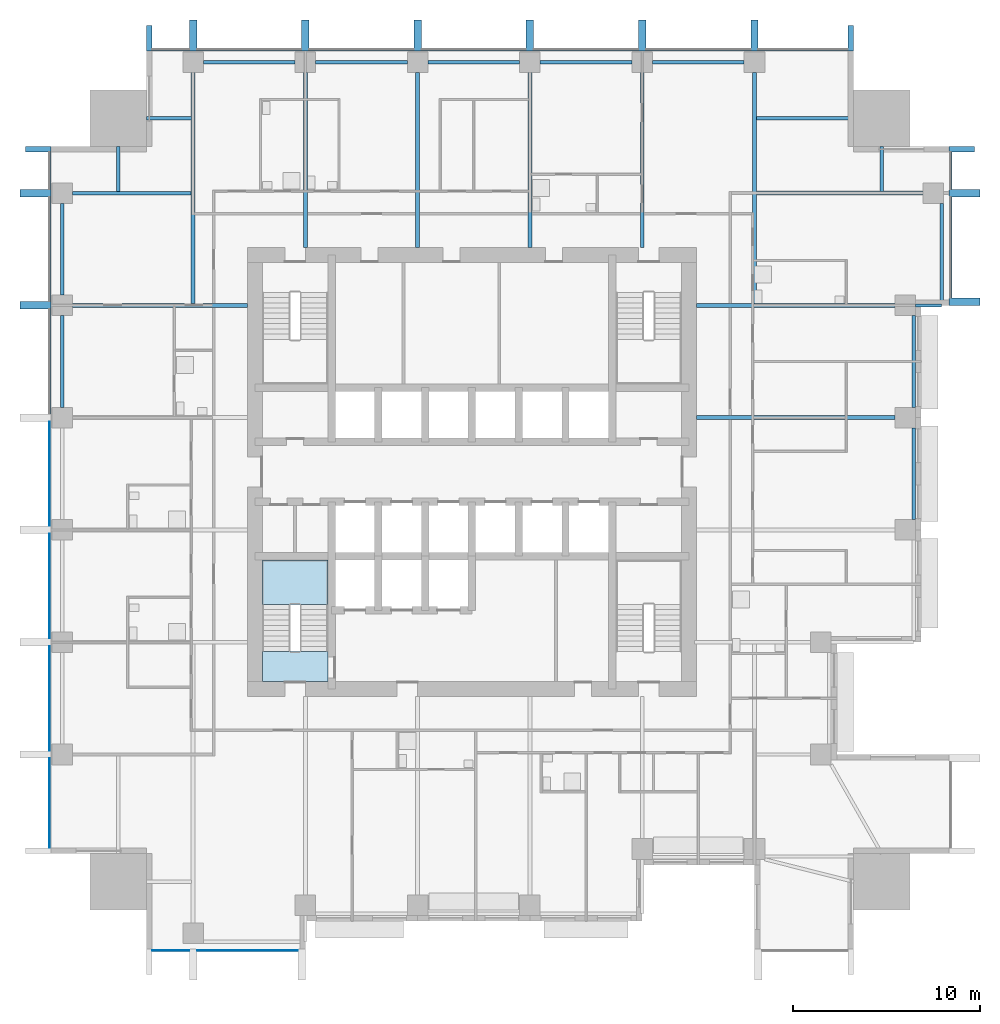
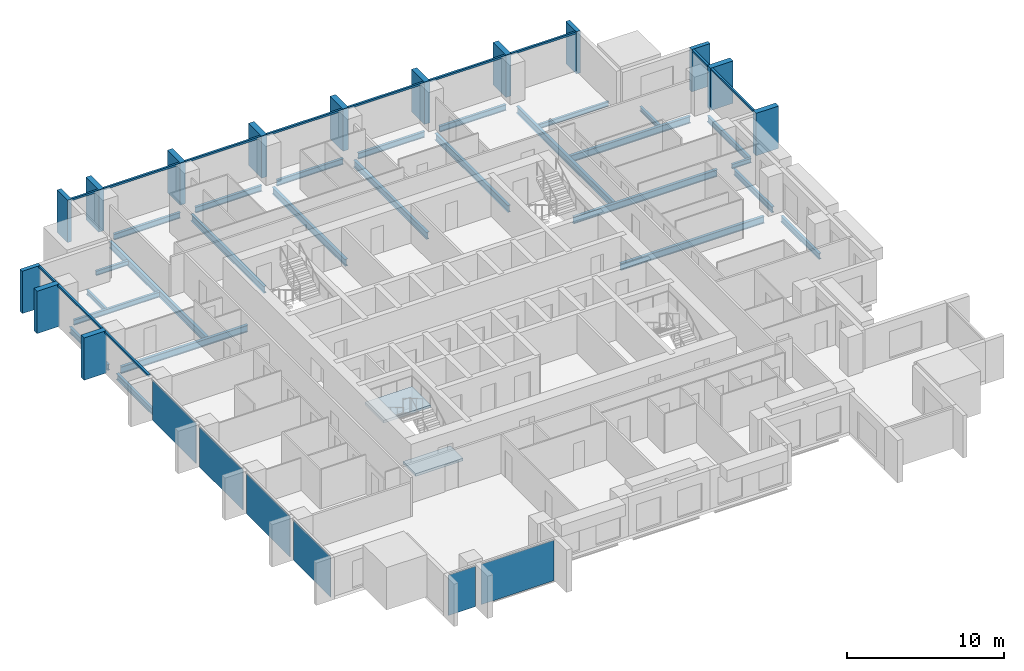
# One storey, part 2 of 10: 26 beams, 26 members, 6 plates, 2 slabs, 5 elements without a shape of their own.
"""IFC4 building model written with IfcOpenShell, lengths in metres."""

from ifc_helpers import new_model, si_unit, direction, frame, origin, origin_2d, place, context, subcontext, project, spatial, polyline, rectangle, i_section, outline, extrude, material, layer, layer_set, material_profile, profile_set, type_object, element, aggregate, save


model = new_model("IFC4")

# Units and contexts
model_context = context("Model", 3, precision=1e-05, world=origin(), true_north=direction((0.0, 1.0)))
body_context = subcontext(model_context, "Body", "Model", "MODEL_VIEW")
ifc_project = project(units=[si_unit("LENGTHUNIT", "METRE"), si_unit("AREAUNIT", "SQUARE_METRE"), si_unit("VOLUMEUNIT", "CUBIC_METRE"), si_unit("PLANEANGLEUNIT", "RADIAN"), si_unit("MASSUNIT", "GRAM", prefix="KILO")], contexts=[model_context])

# Site, building, storey
site_placement = place(None, origin())
site = spatial("IfcSite", under=ifc_project, at=site_placement, CompositionType="ELEMENT")
building_placement = place(site_placement, origin())
building = spatial("IfcBuilding", under=site, at=building_placement, Name="Amberfall Residences", CompositionType="ELEMENT")
storey_placement = place(building_placement, frame((0.0, 0.0, 85.300048828125)))
storey = spatial("IfcBuildingStorey", under=building, at=storey_placement, Name="L22", CompositionType="ELEMENT", Elevation=85.300048828125)

# Curtain wall, members
ifc_material_1 = material(Name="Bronze anodised aluminium and glass", Category="aluminium")
curtain_wall_type = type_object("IfcCurtainWallType", Name="Curtain wall CW1 tower unit", PredefinedType="USERDEFINED", material=ifc_material_1)
curtain_wall_1_placement = place(storey_placement, origin())
curtain_wall_1 = element("IfcCurtainWall", 1, at=curtain_wall_1_placement, inside=storey, type_object=curtain_wall_type, Name="Curtain wall L22 E E9", ObjectType="UNITISED CURTAIN WALL", PredefinedType="USERDEFINED")
ifc_material_2 = material(Name="Bronze anodised aluminium", Category="aluminium")
ifc_material_profile_1 = material_profile(ifc_material_2, rectangle(XDim=0.14990234375, YDim=0.14990234375, at=origin_2d()), Name="CW1 transom 150 x 150 bronze")
ifc_profile_set_1 = profile_set([ifc_material_profile_1], Name="Bronze anodised aluminium")
member_type_1 = type_object("IfcMemberType", Name="CW1 transom 150 x 150 bronze", PredefinedType="USERDEFINED", material=ifc_profile_set_1)
member_1_placement = place(storey_placement, frame((100.074951171875, 54.800048828125, 2.974853515625), z_axis=(0.0, 1.0, 0.0), x_axis=(-1.0, 0.0, 0.0)))
member_1 = element("IfcMember", 2, at=member_1_placement, type_object=member_type_1, Name="CW1 transom 1.1", ObjectType="TRANSOM", PredefinedType="USERDEFINED", context=body_context, shape_type="SweptSolid", body=[
    extrude(rectangle(XDim=0.14990234375, YDim=0.14990234375, at=origin_2d()), origin(), (0.0, 0.0, 1.0), 5.39990234375),
])
member_2_placement = place(storey_placement, frame((100.074951171875, 60.60009765625, 2.974853515625), z_axis=(0.0, 1.0, 0.0), x_axis=(-1.0, 0.0, 0.0)))
member_2 = element("IfcMember", 3, at=member_2_placement, type_object=member_type_1, Name="CW1 transom 2.1", ObjectType="TRANSOM", PredefinedType="USERDEFINED", context=body_context, shape_type="SweptSolid", body=[
    extrude(rectangle(XDim=0.14990234375, YDim=0.14990234375, at=origin_2d()), origin(), (0.0, 0.0, 1.0), 2.0),
])

curtain_wall_2_placement = place(storey_placement, origin())
curtain_wall_2 = element("IfcCurtainWall", 4, at=curtain_wall_2_placement, inside=storey, type_object=curtain_wall_type, Name="Curtain wall L22 N N1", ObjectType="UNITISED CURTAIN WALL", PredefinedType="USERDEFINED")
member_3_placement = place(storey_placement, frame((94.60009765625, 68.074951171875, 2.974853515625), z_axis=(-1.0, 0.0, 0.0), x_axis=(0.0, -1.0, 0.0)))
member_3 = element("IfcMember", 5, at=member_3_placement, type_object=member_type_1, Name="CW1 transom 1.1", ObjectType="TRANSOM", PredefinedType="USERDEFINED", context=body_context, shape_type="SweptSolid", body=[
    extrude(rectangle(XDim=0.14990234375, YDim=0.14990234375, at=origin_2d()), origin(), (0.0, 0.0, 1.0), 4.800048828125),
])
member_4_placement = place(storey_placement, frame((89.39990234375, 68.074951171875, 2.974853515625), z_axis=(-1.0, 0.0, 0.0), x_axis=(0.0, -1.0, 0.0)))
member_4 = element("IfcMember", 6, at=member_4_placement, type_object=member_type_1, Name="CW1 transom 2.1", ObjectType="TRANSOM", PredefinedType="USERDEFINED", context=body_context, shape_type="SweptSolid", body=[
    extrude(rectangle(XDim=0.14990234375, YDim=0.14990234375, at=origin_2d()), origin(), (0.0, 0.0, 1.0), 5.599853515625),
])
member_5_placement = place(storey_placement, frame((83.39990234375, 68.074951171875, 2.974853515625), z_axis=(-1.0, 0.0, 0.0), x_axis=(0.0, -1.0, 0.0)))
member_5 = element("IfcMember", 7, at=member_5_placement, type_object=member_type_1, Name="CW1 transom 3.1", ObjectType="TRANSOM", PredefinedType="USERDEFINED", context=body_context, shape_type="SweptSolid", body=[
    extrude(rectangle(XDim=0.14990234375, YDim=0.14990234375, at=origin_2d()), origin(), (0.0, 0.0, 1.0), 5.599853515625),
])
member_6_placement = place(storey_placement, frame((77.39990234375, 68.074951171875, 2.974853515625), z_axis=(-1.0, 0.0, 0.0), x_axis=(0.0, -1.0, 0.0)))
member_6 = element("IfcMember", 8, at=member_6_placement, type_object=member_type_1, Name="CW1 transom 4.1", ObjectType="TRANSOM", PredefinedType="USERDEFINED", context=body_context, shape_type="SweptSolid", body=[
    extrude(rectangle(XDim=0.14990234375, YDim=0.14990234375, at=origin_2d()), origin(), (0.0, 0.0, 1.0), 5.599853515625),
])
member_7_placement = place(storey_placement, frame((71.39990234375, 68.074951171875, 2.974853515625), z_axis=(-1.0, 0.0, 0.0), x_axis=(0.0, -1.0, 0.0)))
member_7 = element("IfcMember", 9, at=member_7_placement, type_object=member_type_1, Name="CW1 transom 5.1", ObjectType="TRANSOM", PredefinedType="USERDEFINED", context=body_context, shape_type="SweptSolid", body=[
    extrude(rectangle(XDim=0.14990234375, YDim=0.14990234375, at=origin_2d()), origin(), (0.0, 0.0, 1.0), 5.599853515625),
])
member_8_placement = place(storey_placement, frame((65.39990234375, 68.074951171875, 2.974853515625), z_axis=(-1.0, 0.0, 0.0), x_axis=(0.0, -1.0, 0.0)))
member_8 = element("IfcMember", 10, at=member_8_placement, type_object=member_type_1, Name="CW1 transom 6.1", ObjectType="TRANSOM", PredefinedType="USERDEFINED", context=body_context, shape_type="SweptSolid", body=[
    extrude(rectangle(XDim=0.14990234375, YDim=0.14990234375, at=origin_2d()), origin(), (0.0, 0.0, 1.0), 5.599853515625),
])
member_9_placement = place(storey_placement, frame((59.39990234375, 68.074951171875, 2.974853515625), z_axis=(-1.0, 0.0, 0.0), x_axis=(0.0, -1.0, 0.0)))
member_9 = element("IfcMember", 11, at=member_9_placement, type_object=member_type_1, Name="CW1 transom 7.1", ObjectType="TRANSOM", PredefinedType="USERDEFINED", context=body_context, shape_type="SweptSolid", body=[
    extrude(rectangle(XDim=0.14990234375, YDim=0.14990234375, at=origin_2d()), origin(), (0.0, 0.0, 1.0), 2.0),
])

curtain_wall_3_placement = place(storey_placement, origin())
curtain_wall_3 = element("IfcCurtainWall", 12, at=curtain_wall_3_placement, inside=storey, type_object=curtain_wall_type, Name="Curtain wall L22 W W1", ObjectType="UNITISED CURTAIN WALL", PredefinedType="USERDEFINED")
member_10_placement = place(storey_placement, frame((51.925048828125, 62.60009765625, 2.974853515625), z_axis=(0.0, -1.0, 0.0), x_axis=(1.0, 0.0, 0.0)))
member_10 = element("IfcMember", 13, at=member_10_placement, type_object=member_type_1, Name="CW1 transom 1.1", ObjectType="TRANSOM", PredefinedType="USERDEFINED", context=body_context, shape_type="SweptSolid", body=[
    extrude(rectangle(XDim=0.14990234375, YDim=0.14990234375, at=origin_2d()), origin(), (0.0, 0.0, 1.0), 2.0),
])
member_11_placement = place(storey_placement, frame((51.925048828125, 60.199951171875, 2.974853515625), z_axis=(0.0, -1.0, 0.0), x_axis=(1.0, 0.0, 0.0)))
member_11 = element("IfcMember", 14, at=member_11_placement, type_object=member_type_1, Name="CW1 transom 2.1", ObjectType="TRANSOM", PredefinedType="USERDEFINED", context=body_context, shape_type="SweptSolid", body=[
    extrude(rectangle(XDim=0.14990234375, YDim=0.14990234375, at=origin_2d()), origin(), (0.0, 0.0, 1.0), 5.599853515625),
])
member_12_placement = place(storey_placement, frame((51.925048828125, 54.199951171875, 2.974853515625), z_axis=(0.0, -1.0, 0.0), x_axis=(1.0, 0.0, 0.0)))
member_12 = element("IfcMember", 15, at=member_12_placement, type_object=member_type_1, Name="CW1 transom 3.1", ObjectType="TRANSOM", PredefinedType="USERDEFINED", context=body_context, shape_type="SweptSolid", body=[
    extrude(rectangle(XDim=0.14990234375, YDim=0.14990234375, at=origin_2d()), origin(), (0.0, 0.0, 1.0), 5.599853515625),
])

# Beam
ifc_material_3 = material(Name="Steel S355", Category="steel")
ifc_material_profile_2 = material_profile(ifc_material_3, i_section(OverallWidth=0.171142578125, OverallDepth=0.351318359375, WebThickness=0.007080078125, FlangeThickness=0.009765625, FilletRadius=0.01025390625, at=origin_2d()), Name="UB 356x171x45")
ifc_profile_set_2 = profile_set([ifc_material_profile_2], Name="Steel S355")
beam_type_1 = type_object("IfcBeamType", Name="Cantilever girder UB 356x171x45", PredefinedType="BEAM", material=ifc_profile_set_2)
beam_1_placement = place(storey_placement, frame((98.199951171875, 54.39990234375, -0.42578125), z_axis=(1.0, 0.0, 0.0), x_axis=(0.0, 1.0, 0.0)))
element("IfcBeam", 16, at=beam_1_placement, inside=storey, type_object=beam_type_1, Name="Cantilever girder B8 L22 20", PredefinedType="BEAM", context=body_context, shape_type="SweptSolid", body=[
    extrude(i_section(OverallWidth=0.171142578125, OverallDepth=0.351318359375, WebThickness=0.007080078125, FlangeThickness=0.009765625, FilletRadius=0.01025390625, at=origin_2d()), origin(), (0.0, 0.0, 1.0), 1.400146484375),
])

# Member
ifc_material_profile_3 = material_profile(ifc_material_2, rectangle(XDim=1.35009765625, YDim=0.300048828125, at=origin_2d()), Name="Corner fin 300 x 1350 bronze")
ifc_profile_set_3 = profile_set([ifc_material_profile_3], Name="Bronze anodised aluminium")
member_type_2 = type_object("IfcMemberType", Name="Corner fin 300 x 1350 bronze", PredefinedType="MULLION", material=ifc_profile_set_3)
member_13_placement = place(storey_placement, frame((100.675048828125, 62.75, -0.25), z_axis=(0.0, 0.0, 1.0), x_axis=(-1.0, 0.0, 0.0)))
member_13 = element("IfcMember", 17, at=member_13_placement, type_object=member_type_2, Name="CW FIN 3", PredefinedType="MULLION", context=body_context, shape_type="SweptSolid", body=[
    extrude(rectangle(XDim=1.35009765625, YDim=0.300048828125, at=origin_2d()), origin(), (0.0, 0.0, 1.0), 3.300048828125),
])

member_14_placement = place(storey_placement, frame((94.75, 68.675048828125, -0.25), z_axis=(0.0, 0.0, 1.0), x_axis=(0.0, -1.0, 0.0)))
member_14 = element("IfcMember", 18, at=member_14_placement, type_object=member_type_2, Name="CW FIN 1", PredefinedType="MULLION", context=body_context, shape_type="SweptSolid", body=[
    extrude(rectangle(XDim=1.35009765625, YDim=0.300048828125, at=origin_2d()), origin(), (0.0, 0.0, 1.0), 3.300048828125),
])

member_15_placement = place(storey_placement, frame((57.25, 68.675048828125, -0.25), z_axis=(0.0, 0.0, 1.0), x_axis=(0.0, -1.0, 0.0)))
member_15 = element("IfcMember", 19, at=member_15_placement, type_object=member_type_2, Name="CW FIN 8", PredefinedType="MULLION", context=body_context, shape_type="SweptSolid", body=[
    extrude(rectangle(XDim=1.35009765625, YDim=0.300048828125, at=origin_2d()), origin(), (0.0, 0.0, 1.0), 3.300048828125),
])

member_16_placement = place(storey_placement, frame((51.324951171875, 62.75, -0.25), z_axis=(0.0, 0.0, 1.0), x_axis=(1.0, 0.0, 0.0)))
member_16 = element("IfcMember", 20, at=member_16_placement, type_object=member_type_2, Name="CW FIN 1", PredefinedType="MULLION", context=body_context, shape_type="SweptSolid", body=[
    extrude(rectangle(XDim=1.35009765625, YDim=0.300048828125, at=origin_2d()), origin(), (0.0, 0.0, 1.0), 3.300048828125),
])

# Beams
ifc_material_profile_4 = material_profile(ifc_material_3, i_section(OverallWidth=0.18994140625, OverallDepth=0.453369140625, WebThickness=0.008544921875, FlangeThickness=0.0126953125, FilletRadius=0.01025390625, at=origin_2d()), Name="UB 457x191x67")
ifc_profile_set_4 = profile_set([ifc_material_profile_4], Name="Steel S355")
beam_type_2 = type_object("IfcBeamType", Name="Edge beam UB 457x191x67", PredefinedType="SPANDREL", material=ifc_profile_set_4)
for number, where, z_axis, x_axis, name in (
    (21, (98.10009765625, 42.949951171875, -0.476806640625), (0.0, 1.0, 0.0), (-1.0, 0.0, 0.0), "Edge beam B1 L22 16"),
    (22, (98.10009765625, 48.949951171875, -0.476806640625), (0.0, 1.0, 0.0), (-1.0, 0.0, 0.0), "Edge beam B1 L22 17"),
):
    element("IfcBeam", number, at=place(storey_placement, frame(where, z_axis=z_axis, x_axis=x_axis)), inside=storey, type_object=beam_type_2, Name=name, PredefinedType="SPANDREL", context=body_context, shape_type="SweptSolid", body=[
        extrude(i_section(OverallWidth=0.18994140625, OverallDepth=0.453369140625, WebThickness=0.008544921875, FlangeThickness=0.0126953125, FilletRadius=0.01025390625, at=origin_2d()), origin(), (0.0, 0.0, 1.0), 4.900146484375),
    ])
beam_2_placement = place(storey_placement, frame((99.60009765625, 54.47998046875, -0.476806640625), z_axis=(0.0, 1.0, 0.0), x_axis=(-1.0, 0.0, 0.0)))
element("IfcBeam", 23, at=beam_2_placement, inside=storey, type_object=beam_type_2, Name="Edge beam B1 L22 18", PredefinedType="SPANDREL", context=body_context, shape_type="SweptSolid", body=[
    extrude(i_section(OverallWidth=0.18994140625, OverallDepth=0.453369140625, WebThickness=0.008544921875, FlangeThickness=0.0126953125, FilletRadius=0.01025390625, at=origin_2d()), origin(), (0.0, 0.0, 1.0), 5.3701171875),
])
for number, where, z_axis, x_axis, name in (
    (24, (60.14990234375, 67.39990234375, -0.476806640625), (1.0, 0.0, 0.0), (0.0, 1.0, 0.0), "Edge beam B1 L22 27"),
    (25, (66.14990234375, 67.39990234375, -0.476806640625), (1.0, 0.0, 0.0), (0.0, 1.0, 0.0), "Edge beam B1 L22 28"),
    (26, (72.14990234375, 67.39990234375, -0.476806640625), (1.0, 0.0, 0.0), (0.0, 1.0, 0.0), "Edge beam B1 L22 29"),
    (27, (78.14990234375, 67.39990234375, -0.476806640625), (1.0, 0.0, 0.0), (0.0, 1.0, 0.0), "Edge beam B1 L22 30"),
    (28, (84.14990234375, 67.39990234375, -0.476806640625), (1.0, 0.0, 0.0), (0.0, 1.0, 0.0), "Edge beam B1 L22 31"),
    (29, (52.60009765625, 48.949951171875, -0.476806640625), (0.0, 1.0, 0.0), (-1.0, 0.0, 0.0), "Edge beam B1 L22 41"),
    (30, (52.60009765625, 54.949951171875, -0.476806640625), (0.0, 1.0, 0.0), (-1.0, 0.0, 0.0), "Edge beam B1 L22 42"),
):
    element("IfcBeam", number, at=place(storey_placement, frame(where, z_axis=z_axis, x_axis=x_axis)), inside=storey, type_object=beam_type_2, Name=name, PredefinedType="SPANDREL", context=body_context, shape_type="SweptSolid", body=[
        extrude(i_section(OverallWidth=0.18994140625, OverallDepth=0.453369140625, WebThickness=0.008544921875, FlangeThickness=0.0126953125, FilletRadius=0.01025390625, at=origin_2d()), origin(), (0.0, 0.0, 1.0), 4.900146484375),
    ])

# Member
ifc_material_profile_5 = material_profile(ifc_material_2, rectangle(XDim=1.64990234375, YDim=0.39990234375, at=origin_2d()), Name="Fin 400 x 1650 bronze")
ifc_profile_set_5 = profile_set([ifc_material_profile_5], Name="Bronze anodised aluminium")
member_type_3 = type_object("IfcMemberType", Name="Fin 400 x 1650 bronze", PredefinedType="MULLION", material=ifc_profile_set_5)
member_17_placement = place(storey_placement, frame((100.824951171875, 54.60009765625, -0.25), z_axis=(0.0, 0.0, 1.0), x_axis=(-1.0, 0.0, 0.0)))
member_17 = element("IfcMember", 31, at=member_17_placement, type_object=member_type_3, Name="CW FIN 1", PredefinedType="MULLION", context=body_context, shape_type="SweptSolid", body=[
    extrude(rectangle(XDim=1.64990234375, YDim=0.39990234375, at=origin_2d()), origin(), (0.0, 0.0, 1.0), 3.300048828125),
])

member_18_placement = place(storey_placement, frame((100.824951171875, 60.39990234375, -0.25), z_axis=(0.0, 0.0, 1.0), x_axis=(-1.0, 0.0, 0.0)))
member_18 = element("IfcMember", 32, at=member_18_placement, type_object=member_type_3, Name="CW FIN 2", PredefinedType="MULLION", context=body_context, shape_type="SweptSolid", body=[
    extrude(rectangle(XDim=1.64990234375, YDim=0.39990234375, at=origin_2d()), origin(), (0.0, 0.0, 1.0), 3.300048828125),
])

aggregate(curtain_wall_1, [member_17, member_18, member_13, member_1, member_2])

member_19_placement = place(storey_placement, frame((89.60009765625, 68.824951171875, -0.25), z_axis=(0.0, 0.0, 1.0), x_axis=(0.0, -1.0, 0.0)))
member_19 = element("IfcMember", 33, at=member_19_placement, type_object=member_type_3, Name="CW FIN 2", PredefinedType="MULLION", context=body_context, shape_type="SweptSolid", body=[
    extrude(rectangle(XDim=1.64990234375, YDim=0.39990234375, at=origin_2d()), origin(), (0.0, 0.0, 1.0), 3.300048828125),
])

member_20_placement = place(storey_placement, frame((83.60009765625, 68.824951171875, -0.25), z_axis=(0.0, 0.0, 1.0), x_axis=(0.0, -1.0, 0.0)))
member_20 = element("IfcMember", 34, at=member_20_placement, type_object=member_type_3, Name="CW FIN 3", PredefinedType="MULLION", context=body_context, shape_type="SweptSolid", body=[
    extrude(rectangle(XDim=1.64990234375, YDim=0.39990234375, at=origin_2d()), origin(), (0.0, 0.0, 1.0), 3.300048828125),
])

member_21_placement = place(storey_placement, frame((77.60009765625, 68.824951171875, -0.25), z_axis=(0.0, 0.0, 1.0), x_axis=(0.0, -1.0, 0.0)))
member_21 = element("IfcMember", 35, at=member_21_placement, type_object=member_type_3, Name="CW FIN 4", PredefinedType="MULLION", context=body_context, shape_type="SweptSolid", body=[
    extrude(rectangle(XDim=1.64990234375, YDim=0.39990234375, at=origin_2d()), origin(), (0.0, 0.0, 1.0), 3.300048828125),
])

member_22_placement = place(storey_placement, frame((71.60009765625, 68.824951171875, -0.25), z_axis=(0.0, 0.0, 1.0), x_axis=(0.0, -1.0, 0.0)))
member_22 = element("IfcMember", 36, at=member_22_placement, type_object=member_type_3, Name="CW FIN 5", PredefinedType="MULLION", context=body_context, shape_type="SweptSolid", body=[
    extrude(rectangle(XDim=1.64990234375, YDim=0.39990234375, at=origin_2d()), origin(), (0.0, 0.0, 1.0), 3.300048828125),
])

member_23_placement = place(storey_placement, frame((65.60009765625, 68.824951171875, -0.25), z_axis=(0.0, 0.0, 1.0), x_axis=(0.0, -1.0, 0.0)))
member_23 = element("IfcMember", 37, at=member_23_placement, type_object=member_type_3, Name="CW FIN 6", PredefinedType="MULLION", context=body_context, shape_type="SweptSolid", body=[
    extrude(rectangle(XDim=1.64990234375, YDim=0.39990234375, at=origin_2d()), origin(), (0.0, 0.0, 1.0), 3.300048828125),
])

member_24_placement = place(storey_placement, frame((59.60009765625, 68.824951171875, -0.25), z_axis=(0.0, 0.0, 1.0), x_axis=(0.0, -1.0, 0.0)))
member_24 = element("IfcMember", 38, at=member_24_placement, type_object=member_type_3, Name="CW FIN 7", PredefinedType="MULLION", context=body_context, shape_type="SweptSolid", body=[
    extrude(rectangle(XDim=1.64990234375, YDim=0.39990234375, at=origin_2d()), origin(), (0.0, 0.0, 1.0), 3.300048828125),
])

aggregate(curtain_wall_2, [member_14, member_19, member_20, member_21, member_22, member_23, member_24, member_15, member_3, member_4, member_5, member_6, member_7, member_8, member_9])

member_25_placement = place(storey_placement, frame((51.175048828125, 60.39990234375, -0.25), z_axis=(0.0, 0.0, 1.0), x_axis=(1.0, 0.0, 0.0)))
member_25 = element("IfcMember", 39, at=member_25_placement, type_object=member_type_3, Name="CW FIN 2", PredefinedType="MULLION", context=body_context, shape_type="SweptSolid", body=[
    extrude(rectangle(XDim=1.64990234375, YDim=0.39990234375, at=origin_2d()), origin(), (0.0, 0.0, 1.0), 3.300048828125),
])

member_26_placement = place(storey_placement, frame((51.175048828125, 54.39990234375, -0.25), z_axis=(0.0, 0.0, 1.0), x_axis=(1.0, 0.0, 0.0)))
member_26 = element("IfcMember", 40, at=member_26_placement, type_object=member_type_3, Name="CW FIN 3", PredefinedType="MULLION", context=body_context, shape_type="SweptSolid", body=[
    extrude(rectangle(XDim=1.64990234375, YDim=0.39990234375, at=origin_2d()), origin(), (0.0, 0.0, 1.0), 3.300048828125),
])

# Beams
ifc_material_profile_6 = material_profile(ifc_material_3, i_section(OverallWidth=0.177734375, OverallDepth=0.402587890625, WebThickness=0.0078125, FlangeThickness=0.010986328125, FilletRadius=0.01025390625, at=origin_2d()), Name="UB 406x178x54")
ifc_profile_set_6 = profile_set([ifc_material_profile_6], Name="Steel S355")
beam_type_3 = type_object("IfcBeamType", Name="Floor girder UB 406x178x54", PredefinedType="BEAM", material=ifc_profile_set_6)
beam_3_placement = place(storey_placement, frame((53.14990234375, 60.39990234375, -0.451416015625), z_axis=(1.0, 0.0, 0.0), x_axis=(0.0, 1.0, 0.0)))
element("IfcBeam", 41, at=beam_3_placement, inside=storey, type_object=beam_type_3, Name="Floor girder B4 L22 48", PredefinedType="BEAM", context=body_context, shape_type="SweptSolid", body=[
    extrude(i_section(OverallWidth=0.177734375, OverallDepth=0.402587890625, WebThickness=0.0078125, FlangeThickness=0.010986328125, FilletRadius=0.01025390625, at=origin_2d()), origin(), (0.0, 0.0, 1.0), 6.330078125),
])
ifc_material_profile_7 = material_profile(ifc_material_3, i_section(OverallWidth=0.210693359375, OverallDepth=0.53955078125, WebThickness=0.01171875, FlangeThickness=0.018798828125, FilletRadius=0.0126953125, at=origin_2d()), Name="UB 533x210x109")
ifc_profile_set_7 = profile_set([ifc_material_profile_7], Name="Steel S355")
beam_type_4 = type_object("IfcBeamType", Name="Floor girder UB 533x210x109", PredefinedType="BEAM", material=ifc_profile_set_7)
for number, where, z_axis, x_axis, name in (
    (42, (59.60009765625, 66.85009765625, -0.519775390625), (0.0, -1.0, 0.0), (1.0, 0.0, 0.0), "Floor girder B2 L22 32"),
    (43, (89.60009765625, 66.85009765625, -0.519775390625), (0.0, -1.0, 0.0), (1.0, 0.0, 0.0), "Floor girder B2 L22 37"),
):
    element("IfcBeam", number, at=place(storey_placement, frame(where, z_axis=z_axis, x_axis=x_axis)), inside=storey, type_object=beam_type_4, Name=name, PredefinedType="BEAM", context=body_context, shape_type="SweptSolid", body=[
        extrude(i_section(OverallWidth=0.210693359375, OverallDepth=0.53955078125, WebThickness=0.01171875, FlangeThickness=0.018798828125, FilletRadius=0.0126953125, at=origin_2d()), origin(), (0.0, 0.0, 1.0), 12.3505859375),
    ])
ifc_material_profile_8 = material_profile(ifc_material_3, i_section(OverallWidth=0.209228515625, OverallDepth=0.533203125, WebThickness=0.010009765625, FlangeThickness=0.015625, FilletRadius=0.0126953125, at=origin_2d()), Name="UB 533x210x92")
ifc_profile_set_8 = profile_set([ifc_material_profile_8], Name="Steel S355")
beam_type_5 = type_object("IfcBeamType", Name="Floor girder UB 533x210x92", PredefinedType="BEAM", material=ifc_profile_set_8)
for number, where, z_axis, x_axis, name in (
    (44, (97.10009765625, 48.39990234375, -0.5166015625), (-1.0, 0.0, 0.0), (0.0, -1.0, 0.0), "Floor girder B3 L22 24"),
    (45, (97.10009765625, 54.39990234375, -0.5166015625), (-1.0, 0.0, 0.0), (0.0, -1.0, 0.0), "Floor girder B3 L22 25"),
):
    element("IfcBeam", number, at=place(storey_placement, frame(where, z_axis=z_axis, x_axis=x_axis)), inside=storey, type_object=beam_type_5, Name=name, PredefinedType="BEAM", context=body_context, shape_type="SweptSolid", body=[
        extrude(i_section(OverallWidth=0.209228515625, OverallDepth=0.533203125, WebThickness=0.010009765625, FlangeThickness=0.015625, FilletRadius=0.0126953125, at=origin_2d()), origin(), (0.0, 0.0, 1.0), 10.60009765625),
    ])
beam_4_placement = place(storey_placement, frame((98.60009765625, 60.39990234375, -0.5166015625), z_axis=(-1.0, 0.0, 0.0), x_axis=(0.0, -1.0, 0.0)))
element("IfcBeam", 46, at=beam_4_placement, inside=storey, type_object=beam_type_5, Name="Floor girder B3 L22 26", PredefinedType="BEAM", context=body_context, shape_type="SweptSolid", body=[
    extrude(i_section(OverallWidth=0.209228515625, OverallDepth=0.533203125, WebThickness=0.010009765625, FlangeThickness=0.015625, FilletRadius=0.0126953125, at=origin_2d()), origin(), (0.0, 0.0, 1.0), 8.880126953125),
])
for number, where, z_axis, x_axis, name in (
    (47, (65.60009765625, 66.85009765625, -0.5166015625), (0.0, -1.0, 0.0), (1.0, 0.0, 0.0), "Floor girder B3 L22 33"),
    (48, (71.60009765625, 66.85009765625, -0.5166015625), (0.0, -1.0, 0.0), (1.0, 0.0, 0.0), "Floor girder B3 L22 34"),
    (49, (77.60009765625, 66.85009765625, -0.5166015625), (0.0, -1.0, 0.0), (1.0, 0.0, 0.0), "Floor girder B3 L22 35"),
    (50, (83.60009765625, 66.85009765625, -0.5166015625), (0.0, -1.0, 0.0), (1.0, 0.0, 0.0), "Floor girder B3 L22 36"),
    (51, (53.14990234375, 54.39990234375, -0.5166015625), (1.0, 0.0, 0.0), (0.0, 1.0, 0.0), "Floor girder B3 L22 47"),
):
    element("IfcBeam", number, at=place(storey_placement, frame(where, z_axis=z_axis, x_axis=x_axis)), inside=storey, type_object=beam_type_5, Name=name, PredefinedType="BEAM", context=body_context, shape_type="SweptSolid", body=[
        extrude(i_section(OverallWidth=0.209228515625, OverallDepth=0.533203125, WebThickness=0.010009765625, FlangeThickness=0.015625, FilletRadius=0.0126953125, at=origin_2d()), origin(), (0.0, 0.0, 1.0), 9.35009765625),
    ])
ifc_material_profile_9 = material_profile(ifc_material_3, i_section(OverallWidth=0.171142578125, OverallDepth=0.351318359375, WebThickness=0.007080078125, FlangeThickness=0.009765625, FilletRadius=0.01025390625, at=origin_2d()), Name="UB 356x171x45")
ifc_profile_set_9 = profile_set([ifc_material_profile_9], Name="Steel S355")
beam_type_6 = type_object("IfcBeamType", Name="Link beam UB 356x171x45", PredefinedType="BEAM", material=ifc_profile_set_9)
beam_5_placement = place(storey_placement, frame((94.89990234375, 64.39990234375, -0.42578125), z_axis=(-1.0, 0.0, 0.0), x_axis=(0.0, -1.0, 0.0)))
element("IfcBeam", 52, at=beam_5_placement, inside=storey, type_object=beam_type_6, Name="Link beam B7 L22 54", PredefinedType="BEAM", context=body_context, shape_type="SweptSolid", body=[
    extrude(i_section(OverallWidth=0.171142578125, OverallDepth=0.351318359375, WebThickness=0.007080078125, FlangeThickness=0.009765625, FilletRadius=0.01025390625, at=origin_2d()), origin(), (0.0, 0.0, 1.0), 5.20458984375),
])
beam_6_placement = place(storey_placement, frame((96.39990234375, 62.89990234375, -0.42578125), z_axis=(0.0, -1.0, 0.0), x_axis=(1.0, 0.0, 0.0)))
element("IfcBeam", 53, at=beam_6_placement, inside=storey, type_object=beam_type_6, Name="Link beam B7 L22 55", PredefinedType="BEAM", context=body_context, shape_type="SweptSolid", body=[
    extrude(i_section(OverallWidth=0.171142578125, OverallDepth=0.351318359375, WebThickness=0.007080078125, FlangeThickness=0.009765625, FilletRadius=0.01025390625, at=origin_2d()), origin(), (0.0, 0.0, 1.0), 2.4052734375),
])
beam_7_placement = place(storey_placement, frame((57.10009765625, 64.39990234375, -0.42578125), z_axis=(1.0, 0.0, 0.0), x_axis=(0.0, 1.0, 0.0)))
element("IfcBeam", 54, at=beam_7_placement, inside=storey, type_object=beam_type_6, Name="Link beam B7 L22 56", PredefinedType="BEAM", context=body_context, shape_type="SweptSolid", body=[
    extrude(i_section(OverallWidth=0.171142578125, OverallDepth=0.351318359375, WebThickness=0.007080078125, FlangeThickness=0.009765625, FilletRadius=0.01025390625, at=origin_2d()), origin(), (0.0, 0.0, 1.0), 2.404541015625),
])
beam_8_placement = place(storey_placement, frame((55.60009765625, 62.89990234375, -0.42578125), z_axis=(0.0, -1.0, 0.0), x_axis=(1.0, 0.0, 0.0)))
element("IfcBeam", 55, at=beam_8_placement, inside=storey, type_object=beam_type_6, Name="Link beam B7 L22 57", PredefinedType="BEAM", context=body_context, shape_type="SweptSolid", body=[
    extrude(i_section(OverallWidth=0.171142578125, OverallDepth=0.351318359375, WebThickness=0.007080078125, FlangeThickness=0.009765625, FilletRadius=0.01025390625, at=origin_2d()), origin(), (0.0, 0.0, 1.0), 2.4208984375),
])

# Curtain wall, plates
curtain_wall_4_placement = place(storey_placement, origin())
curtain_wall_4 = element("IfcCurtainWall", 56, at=curtain_wall_4_placement, inside=storey, type_object=curtain_wall_type, Name="Curtain wall L22 S S1", ObjectType="UNITISED CURTAIN WALL", PredefinedType="USERDEFINED")
ifc_material_4 = material(Name="Tinted double glazed unit", Category="glass")
ifc_layer_1 = layer(ifc_material_4, 0.035888671875)
ifc_layer_set_1 = layer_set([ifc_layer_1], Name="CW1 panel 36 glazing")
plate_type = type_object("IfcPlateType", Name="CW1 panel 36 glazing", PredefinedType="CURTAIN_PANEL", material=ifc_layer_set_1)
plate_1_placement = place(storey_placement, frame((58.39990234375, 19.925048828125, -0.25), z_axis=(0.0, 0.0, 1.0), x_axis=(1.0, 0.0, 0.0)))
plate_1 = element("IfcPlate", 57, at=plate_1_placement, type_object=plate_type, Name="CW1 panel 1.1", PredefinedType="CURTAIN_PANEL", context=body_context, shape_type="SweptSolid", body=[
    extrude(rectangle(XDim=1.97607421875, YDim=0.035888671875, at=origin_2d()), origin(), (0.0, 0.0, 1.0), 3.14990234375),
])
plate_2_placement = place(storey_placement, frame((62.5, 19.925048828125, -0.25), z_axis=(0.0, 0.0, 1.0), x_axis=(1.0, 0.0, 0.0)))
plate_2 = element("IfcPlate", 58, at=plate_2_placement, type_object=plate_type, Name="CW1 panel 2.1", PredefinedType="CURTAIN_PANEL", context=body_context, shape_type="SweptSolid", body=[
    extrude(rectangle(XDim=5.3759765625, YDim=0.035888671875, at=origin_2d()), origin(), (0.0, 0.0, 1.0), 3.14990234375),
])
aggregate(curtain_wall_4, [plate_1, plate_2])

# Plate
plate_3_placement = place(storey_placement, frame((51.925048828125, 45.39990234375, -0.25), z_axis=(0.0, 0.0, 1.0), x_axis=(0.0, -1.0, 0.0)))
plate_3 = element("IfcPlate", 59, at=plate_3_placement, type_object=plate_type, Name="CW1 panel 4.1", PredefinedType="CURTAIN_PANEL", context=body_context, shape_type="SweptSolid", body=[
    extrude(rectangle(XDim=5.575927734375, YDim=0.035888671875, at=origin_2d()), origin(), (0.0, 0.0, 1.0), 3.14990234375),
])

plate_4_placement = place(storey_placement, frame((51.925048828125, 39.39990234375, -0.25), z_axis=(0.0, 0.0, 1.0), x_axis=(0.0, -1.0, 0.0)))
plate_4 = element("IfcPlate", 60, at=plate_4_placement, type_object=plate_type, Name="CW1 panel 5.1", PredefinedType="CURTAIN_PANEL", context=body_context, shape_type="SweptSolid", body=[
    extrude(rectangle(XDim=5.575927734375, YDim=0.035888671875, at=origin_2d()), origin(), (0.0, 0.0, 1.0), 3.14990234375),
])

plate_5_placement = place(storey_placement, frame((51.925048828125, 33.39990234375, -0.25), z_axis=(0.0, 0.0, 1.0), x_axis=(0.0, -1.0, 0.0)))
plate_5 = element("IfcPlate", 61, at=plate_5_placement, type_object=plate_type, Name="CW1 panel 6.1", PredefinedType="CURTAIN_PANEL", context=body_context, shape_type="SweptSolid", body=[
    extrude(rectangle(XDim=5.575927734375, YDim=0.035888671875, at=origin_2d()), origin(), (0.0, 0.0, 1.0), 3.14990234375),
])

plate_6_placement = place(storey_placement, frame((51.925048828125, 27.800048828125, -0.25), z_axis=(0.0, 0.0, 1.0), x_axis=(0.0, -1.0, 0.0)))
plate_6 = element("IfcPlate", 62, at=plate_6_placement, type_object=plate_type, Name="CW1 panel 7.1", PredefinedType="CURTAIN_PANEL", context=body_context, shape_type="SweptSolid", body=[
    extrude(rectangle(XDim=4.77587890625, YDim=0.035888671875, at=origin_2d()), origin(), (0.0, 0.0, 1.0), 3.14990234375),
])

aggregate(curtain_wall_3, [member_16, member_25, member_26, member_10, member_11, member_12, plate_3, plate_4, plate_5, plate_6])

# Stair, slabs
ifc_material_5 = material(Name="Concrete C40", Category="concrete")
stair_type = type_object("IfcStairType", Name="Exit stair 20 risers 165.0 mm", PredefinedType="HALF_TURN_STAIR", material=ifc_material_5)
stair_placement = place(storey_placement, origin())
stair = element("IfcStair", 63, at=stair_placement, inside=storey, type_object=stair_type, Name="L22 Exit stair 1", PredefinedType="HALF_TURN_STAIR")
ifc_layer_2 = layer(ifc_material_5, 0.199951171875)
ifc_layer_set_2 = layer_set([ifc_layer_2], Name="Stair landing 200")
slab_type = type_object("IfcSlabType", Name="Stair landing 200", PredefinedType="LANDING", material=ifc_layer_set_2)
slab_1_placement = place(storey_placement, frame((0.0, 0.0, 1.449951171875)))
slab_1 = element("IfcSlab", 64, at=slab_1_placement, type_object=slab_type, Name="ST3 landing 1", PredefinedType="LANDING", context=body_context, shape_type="SweptSolid", body=[
    extrude(outline(polyline([(66.800048828125, 38.419921875), (66.800048828125, 40.800048828125), (63.300048828125, 40.800048828125), (63.300048828125, 38.419921875), (66.800048828125, 38.419921875)])), origin(), (0.0, 0.0, 1.0), 0.199951171875),
])
slab_2_placement = place(storey_placement, frame((0.0, 0.0, -0.199951171875)))
slab_2 = element("IfcSlab", 65, at=slab_2_placement, type_object=slab_type, Name="ST3 landing 2", PredefinedType="LANDING", context=body_context, shape_type="SweptSolid", body=[
    extrude(outline(polyline([(66.800048828125, 34.300048828125), (66.800048828125, 35.89990234375), (63.300048828125, 35.89990234375), (63.300048828125, 34.300048828125), (66.800048828125, 34.300048828125)])), origin(), (0.0, 0.0, 1.0), 0.199951171875),
])
aggregate(stair, [slab_1, slab_2])

save(model, "model.ifc")
